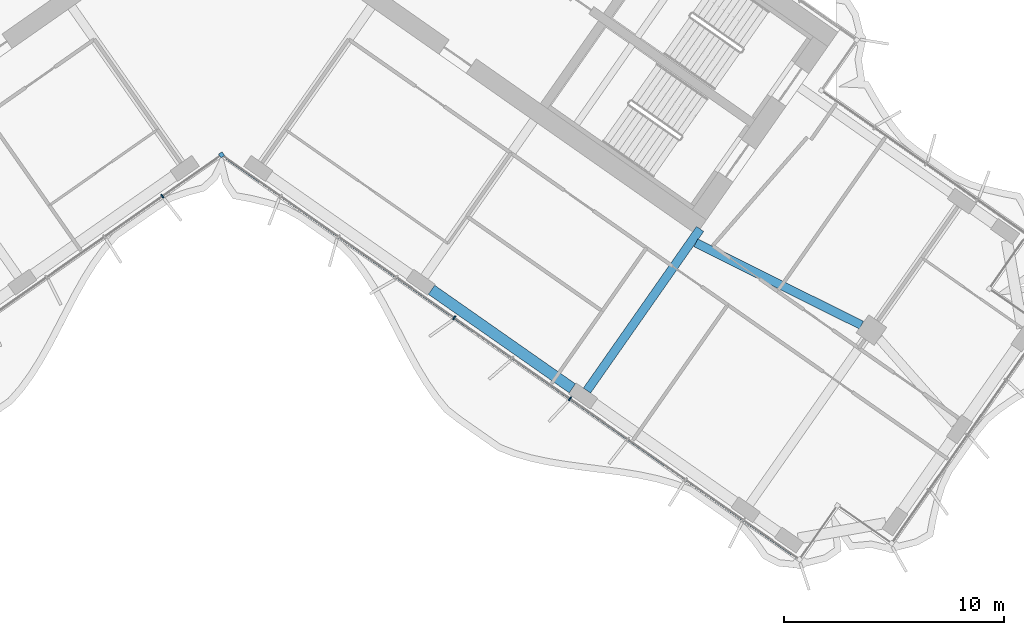
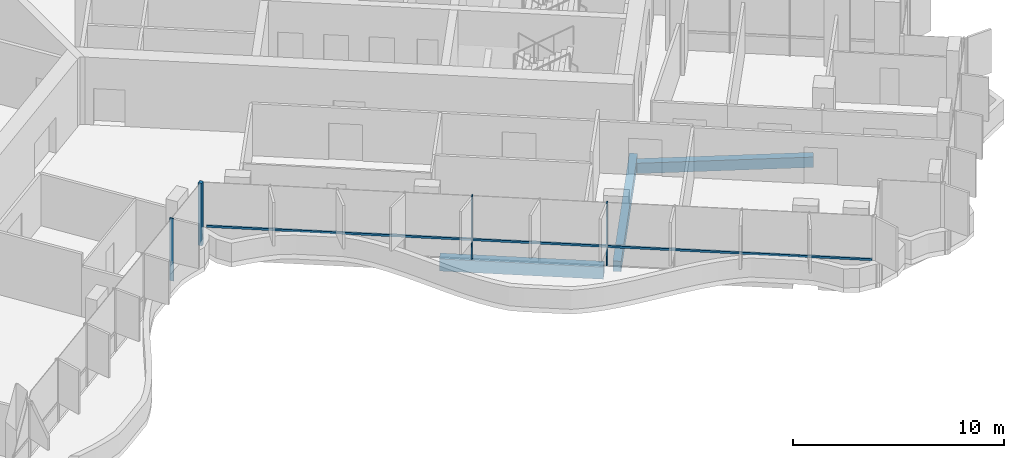
# One storey, part 6 of 23: 5 members, 3 beams, 1 element without a shape of its own.
"""IFC4 building model written with IfcOpenShell, lengths in metres."""

from ifc_helpers import new_model, si_unit, direction, frame, origin, origin_2d, place, context, subcontext, project, spatial, rectangle, extrude, material, material_profile, profile_set, type_object, element, aggregate, save


model = new_model("IFC4")

# Units and contexts
model_context = context("Model", 3, precision=1e-05, world=origin(), true_north=direction((0.0, 1.0)))
body_context = subcontext(model_context, "Body", "Model", "MODEL_VIEW")
ifc_project = project(units=[si_unit("LENGTHUNIT", "METRE"), si_unit("AREAUNIT", "SQUARE_METRE"), si_unit("VOLUMEUNIT", "CUBIC_METRE"), si_unit("PLANEANGLEUNIT", "RADIAN"), si_unit("MASSUNIT", "GRAM", prefix="KILO")], contexts=[model_context])

# Site, building, storey
site_placement = place(None, origin())
site = spatial("IfcSite", under=ifc_project, at=site_placement, CompositionType="ELEMENT")
building_placement = place(site_placement, origin())
building = spatial("IfcBuilding", under=site, at=building_placement, Name="Tel Ilan Convention Tower", CompositionType="ELEMENT")
storey_placement = place(building_placement, frame((0.0, 0.0, 178.800048828125)))
storey = spatial("IfcBuildingStorey", under=building, at=storey_placement, Name="L41", CompositionType="ELEMENT", Elevation=178.800048828125)

# Beams
ifc_material_1 = material(Name="Concrete C40/50", Category="concrete")
ifc_material_profile_1 = material_profile(ifc_material_1, rectangle(XDim=0.39990234375, YDim=0.60009765625, at=origin_2d()), Name="RC 400x600")
ifc_profile_set_1 = profile_set([ifc_material_profile_1], Name="Concrete C40/50")
beam_type_1 = type_object("IfcBeamType", Name="Beam RC 400x600 Concrete C40/50", PredefinedType="BEAM", material=ifc_profile_set_1)
beam_1_placement = place(storey_placement, frame((16.58203125, -23.391357421875, -0.580078125), z_axis=(0.573584999642, 0.819146048141, 0.0), x_axis=(-0.819146048141, 0.573584999642, 0.0)))
element("IfcBeam", 1, at=beam_1_placement, inside=storey, type_object=beam_type_1, Name="L41 beam E-E-F3-core", PredefinedType="BEAM", context=body_context, shape_type="SweptSolid", body=[
    extrude(rectangle(XDim=0.39990234375, YDim=0.60009765625, at=origin_2d()), origin(), (0.0, 0.0, 1.0), 8.949951171875),
])
beam_2_placement = place(storey_placement, frame((21.52099609375, -16.686279296875, -0.580078125), z_axis=(0.895402365524, -0.445257907076, 0.0), x_axis=(0.445257907076, 0.895402365524, 0.0)))
element("IfcBeam", 2, at=beam_2_placement, inside=storey, type_object=beam_type_1, Name="L41 beam E-core-E-M4", PredefinedType="BEAM", context=body_context, shape_type="SweptSolid", body=[
    extrude(rectangle(XDim=0.39990234375, YDim=0.60009765625, at=origin_2d()), origin(), (0.0, 0.0, 1.0), 8.3935546875),
])
ifc_material_2 = material(Name="Concrete C40/50", Category="concrete")
ifc_material_profile_2 = material_profile(ifc_material_2, rectangle(XDim=0.5, YDim=0.699951171875, at=origin_2d()), Name="RC 500x700")
ifc_profile_set_2 = profile_set([ifc_material_profile_2], Name="Concrete C40/50")
beam_type_2 = type_object("IfcBeamType", Name="Beam RC 500x700 Concrete C40/50", PredefinedType="BEAM", material=ifc_profile_set_2)
beam_3_placement = place(storey_placement, frame((9.529052734375, -18.819091796875, -0.630126953125), z_axis=(0.819153977895, -0.573573674866, 0.0), x_axis=(0.573573674866, 0.819153977895, 0.0)))
element("IfcBeam", 3, at=beam_3_placement, inside=storey, type_object=beam_type_2, Name="L41 beam E-E-F2-E-F3", PredefinedType="BEAM", context=body_context, shape_type="SweptSolid", body=[
    extrude(rectangle(XDim=0.5, YDim=0.699951171875, at=origin_2d()), origin(), (0.0, 0.0, 1.0), 7.800048828125),
])

# Curtain wall, members
ifc_material_3 = material(Name="Aluminium, bronze anodised", Category="aluminium")
curtain_wall_type = type_object("IfcCurtainWallType", Name="CW4 STICK CURTAIN WALL, OFFICE TINTED GLASS", PredefinedType="NOTDEFINED", material=ifc_material_3)
curtain_wall_placement = place(storey_placement, origin())
curtain_wall = element("IfcCurtainWall", 4, at=curtain_wall_placement, inside=storey, type_object=curtain_wall_type, Name="Curtain wall CW4-31.02", PredefinedType="NOTDEFINED")
ifc_material_4 = material(Name="Aluminium, bronze anodised", Category="aluminium")
ifc_material_profile_3 = material_profile(ifc_material_4, rectangle(XDim=0.199951171875, YDim=0.199951171875, at=origin_2d()), Name="CW CORNER MULLION 200x200")
ifc_profile_set_3 = profile_set([ifc_material_profile_3], Name="Aluminium, bronze anodised")
member_type_1 = type_object("IfcMemberType", Name="CW CORNER MULLION 200x200", PredefinedType="MULLION", material=ifc_profile_set_3)
member_1_placement = place(storey_placement, frame((0.0, -12.696044921875, 0.0), z_axis=(0.0, 0.0, 1.0), x_axis=(0.819152044289, 0.573576436351, 0.0)))
member_1 = element("IfcMember", 5, at=member_1_placement, type_object=member_type_1, Name="Corner mullion", PredefinedType="MULLION", context=body_context, shape_type="SweptSolid", body=[
    extrude(rectangle(XDim=0.199951171875, YDim=0.199951171875, at=origin_2d()), origin(), (0.0, 0.0, 1.0), 3.619873046875),
])
ifc_material_5 = material(Name="Aluminium, bronze anodised", Category="aluminium")
ifc_material_profile_4 = material_profile(ifc_material_5, rectangle(XDim=0.06005859375, YDim=0.199951171875, at=origin_2d()), Name="CW MULLION 60x200")
ifc_profile_set_4 = profile_set([ifc_material_profile_4], Name="Aluminium, bronze anodised")
member_type_2 = type_object("IfcMemberType", Name="CW MULLION 60x200", PredefinedType="MULLION", material=ifc_profile_set_4)
member_2_placement = place(storey_placement, frame((-2.6826171875, -14.574462890625, 0.0), z_axis=(0.0, 0.0, 1.0), x_axis=(0.819152044289, 0.573576436351, 0.0)))
member_2 = element("IfcMember", 6, at=member_2_placement, type_object=member_type_2, Name="Mullion", PredefinedType="MULLION", context=body_context, shape_type="SweptSolid", body=[
    extrude(rectangle(XDim=0.06005859375, YDim=0.199951171875, at=origin_2d()), origin(), (0.0, 0.0, 1.0), 3.619873046875),
])
member_3_placement = place(storey_placement, frame((10.55810546875, -20.0888671875, 0.0), z_axis=(0.0, 0.0, 1.0), x_axis=(0.819152044289, -0.573576436351, 0.0)))
member_3 = element("IfcMember", 7, at=member_3_placement, type_object=member_type_2, Name="Mullion", PredefinedType="MULLION", context=body_context, shape_type="SweptSolid", body=[
    extrude(rectangle(XDim=0.06005859375, YDim=0.199951171875, at=origin_2d()), origin(), (0.0, 0.0, 1.0), 3.619873046875),
])
member_4_placement = place(storey_placement, frame((15.80859375, -23.765380859375, 0.0), z_axis=(0.0, 0.0, 1.0), x_axis=(0.819152044289, -0.573576436351, 0.0)))
member_4 = element("IfcMember", 8, at=member_4_placement, type_object=member_type_2, Name="Mullion", PredefinedType="MULLION", context=body_context, shape_type="SweptSolid", body=[
    extrude(rectangle(XDim=0.06005859375, YDim=0.199951171875, at=origin_2d()), origin(), (0.0, 0.0, 1.0), 3.619873046875),
])
ifc_material_6 = material(Name="Aluminium, bronze anodised", Category="aluminium")
ifc_material_profile_5 = material_profile(ifc_material_6, rectangle(XDim=0.10009765625, YDim=0.1201171875, at=origin_2d()), Name="CW TRANSOM 100x120")
ifc_profile_set_5 = profile_set([ifc_material_profile_5], Name="Aluminium, bronze anodised")
member_type_3 = type_object("IfcMemberType", Name="CW TRANSOM 100x120", PredefinedType="USERDEFINED", material=ifc_profile_set_5)
member_5_placement = place(storey_placement, frame((0.22119140625, -12.850830078125, 1.099853515625), z_axis=(0.819149281128, -0.573580382534, 0.0), x_axis=(0.573580382534, 0.819149281128, 0.0)))
member_5 = element("IfcMember", 9, at=member_5_placement, type_object=member_type_3, Name="Transom", ObjectType="TRANSOM", PredefinedType="USERDEFINED", context=body_context, shape_type="SweptSolid", body=[
    extrude(rectangle(XDim=0.10009765625, YDim=0.1201171875, at=origin_2d()), origin(), (0.0, 0.0, 1.0), 31.64794921875),
])
aggregate(curtain_wall, [member_2, member_1, member_3, member_4, member_5])

save(model, "model.ifc")
